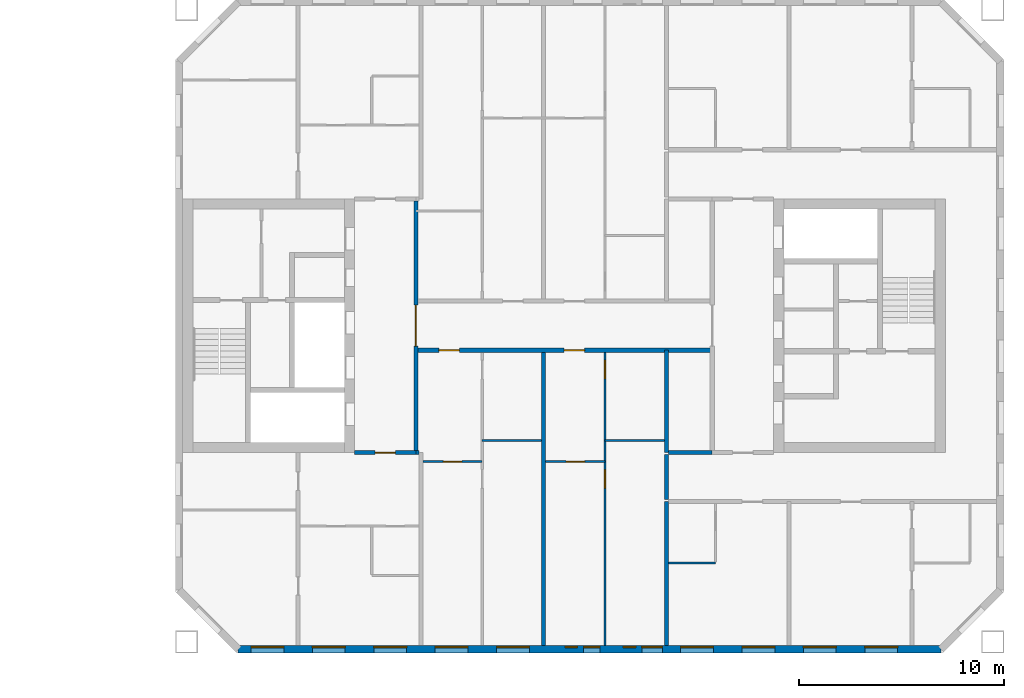
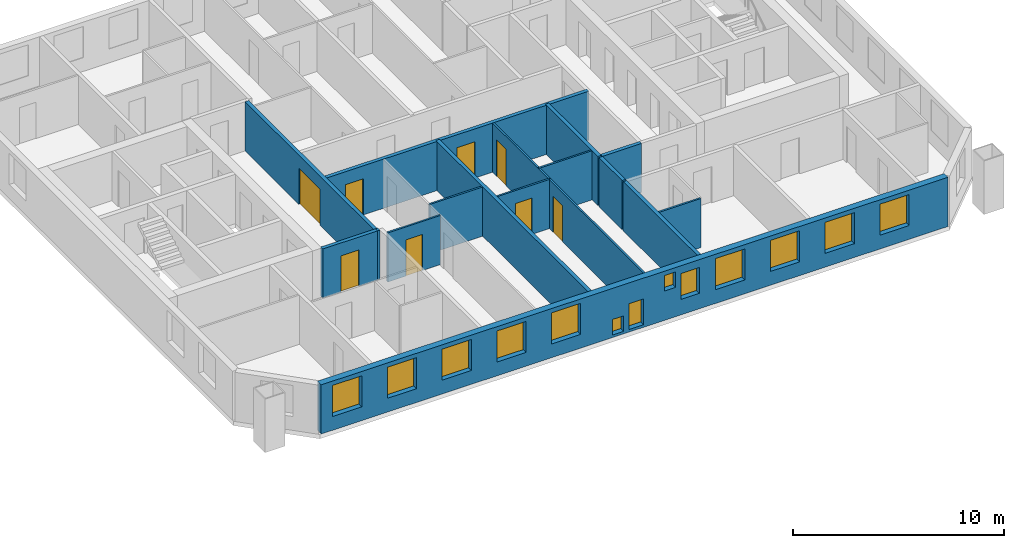
# One storey, part 9 of 15: 16 walls, 13 windows, 8 doors, 21 openings.
"""IFC4 building model written with IfcOpenShell, lengths in metres."""

from ifc_helpers import new_model, si_unit, direction, frame, frame_2d, origin, place, context, subcontext, project, spatial, rectangle, extrude, material, layer, layer_set, type_object, element, fill, save


model = new_model("IFC4")

# Units and contexts
model_context = context("Model", 3, precision=1e-05, world=origin(), true_north=direction((0.0, 1.0)))
body_context = subcontext(model_context, "Body", "Model", "MODEL_VIEW")
ifc_project = project(units=[si_unit("LENGTHUNIT", "METRE"), si_unit("AREAUNIT", "SQUARE_METRE"), si_unit("VOLUMEUNIT", "CUBIC_METRE"), si_unit("PLANEANGLEUNIT", "RADIAN"), si_unit("MASSUNIT", "GRAM", prefix="KILO")], contexts=[model_context])

# Site, building, storey
site_placement = place(None, origin())
site = spatial("IfcSite", under=ifc_project, at=site_placement, CompositionType="ELEMENT")
building_placement = place(site_placement, origin())
building = spatial("IfcBuilding", under=site, at=building_placement, Name="Tuart Gate Housing", CompositionType="ELEMENT")
storey_placement = place(building_placement, frame((0.0, 0.0, 164.0)))
storey = spatial("IfcBuildingStorey", under=building, at=storey_placement, Name="L46", CompositionType="ELEMENT", Elevation=164.0)

# Wall, openings, windows
ifc_material_1 = material(Name="Brick", Category="masonry")
ifc_layer_1 = layer(ifc_material_1, 0.360107421875)
ifc_layer_set_1 = layer_set([ifc_layer_1], Name="Brick pier and spandrel wall 360")
wall_type_1 = type_object("IfcWallType", Name="Brick pier and spandrel wall 360", PredefinedType="STANDARD", material=ifc_layer_set_1)
wall_1_placement = place(storey_placement, frame((134.07470703125, 54.179931640625, 0.0), z_axis=(0.0, 0.0, 1.0), x_axis=(1.0, 0.0, 0.0)))
wall_1 = element("IfcWall", 1, at=wall_1_placement, inside=storey, type_object=wall_type_1, Name="External wall B-S L46", PredefinedType="STANDARD", context=body_context, shape_type="SweptSolid", body=[
    extrude(rectangle(XDim=34.350830078125, YDim=0.360107421875, at=frame_2d((17.17529296875, 0.0))), origin(), (0.0, 0.0, 1.0), 2.85009765625),
])
opening_1_placement = place(wall_1_placement, frame((0.62548828125, 0.0, 0.800048828125)))
opening_1 = element("IfcOpeningElement", 2, at=opening_1_placement, cuts=wall_1, Name="Opening W1", PredefinedType="OPENING", context=body_context, shape_type="SweptSolid", body=[
    extrude(rectangle(XDim=1.60009765625, YDim=1.800048828125, at=frame_2d((0.800048828125, 0.89990234375))), frame((0.0, 0.18994140625, 0.0), z_axis=(0.0, -1.0, 0.0), x_axis=(1.0, 0.0, 0.0)), (0.0, 0.0, 1.0), 0.380126953125),
])
opening_2_placement = place(wall_1_placement, frame((3.62548828125, 0.0, 0.800048828125)))
opening_2 = element("IfcOpeningElement", 3, at=opening_2_placement, cuts=wall_1, Name="Opening W1", PredefinedType="OPENING", context=body_context, shape_type="SweptSolid", body=[
    extrude(rectangle(XDim=1.60009765625, YDim=1.800048828125, at=frame_2d((0.800048828125, 0.89990234375))), frame((0.0, 0.18994140625, 0.0), z_axis=(0.0, -1.0, 0.0), x_axis=(1.0, 0.0, 0.0)), (0.0, 0.0, 1.0), 0.380126953125),
])
opening_3_placement = place(wall_1_placement, frame((6.62548828125, 0.0, 0.800048828125)))
opening_3 = element("IfcOpeningElement", 4, at=opening_3_placement, cuts=wall_1, Name="Opening W1", PredefinedType="OPENING", context=body_context, shape_type="SweptSolid", body=[
    extrude(rectangle(XDim=1.60009765625, YDim=1.800048828125, at=frame_2d((0.800048828125, 0.89990234375))), frame((0.0, 0.18994140625, 0.0), z_axis=(0.0, -1.0, 0.0), x_axis=(1.0, 0.0, 0.0)), (0.0, 0.0, 1.0), 0.380126953125),
])
opening_4_placement = place(wall_1_placement, frame((9.62548828125, 0.0, 0.800048828125)))
opening_4 = element("IfcOpeningElement", 5, at=opening_4_placement, cuts=wall_1, Name="Opening W1", PredefinedType="OPENING", context=body_context, shape_type="SweptSolid", body=[
    extrude(rectangle(XDim=1.60009765625, YDim=1.800048828125, at=frame_2d((0.800048828125, 0.89990234375))), frame((0.0, 0.18994140625, 0.0), z_axis=(0.0, -1.0, 0.0), x_axis=(1.0, 0.0, 0.0)), (0.0, 0.0, 1.0), 0.380126953125),
])
opening_5_placement = place(wall_1_placement, frame((12.62548828125, 0.0, 0.800048828125)))
opening_5 = element("IfcOpeningElement", 6, at=opening_5_placement, cuts=wall_1, Name="Opening W1", PredefinedType="OPENING", context=body_context, shape_type="SweptSolid", body=[
    extrude(rectangle(XDim=1.60009765625, YDim=1.800048828125, at=frame_2d((0.800048828125, 0.89990234375))), frame((0.0, 0.18994140625, 0.0), z_axis=(0.0, -1.0, 0.0), x_axis=(1.0, 0.0, 0.0)), (0.0, 0.0, 1.0), 0.380126953125),
])
opening_6_placement = place(wall_1_placement, frame((15.975341796875, 0.0, 0.14990234375)))
opening_6 = element("IfcOpeningElement", 7, at=opening_6_placement, cuts=wall_1, Name="Opening W1W", PredefinedType="OPENING", context=body_context, shape_type="SweptSolid", body=[
    extrude(rectangle(XDim=0.60009765625, YDim=0.89990234375, at=frame_2d((0.300048828125, 0.449951171875))), frame((0.0, 0.18994140625, 0.0), z_axis=(0.0, -1.0, 0.0), x_axis=(1.0, 0.0, 0.0)), (0.0, 0.0, 1.0), 0.380126953125),
])
opening_7_placement = place(wall_1_placement, frame((18.825439453125, 0.0, 1.699951171875)))
opening_7 = element("IfcOpeningElement", 8, at=opening_7_placement, cuts=wall_1, Name="Opening W1W", PredefinedType="OPENING", context=body_context, shape_type="SweptSolid", body=[
    extrude(rectangle(XDim=0.60009765625, YDim=0.89990234375, at=frame_2d((0.300048828125, 0.449951171875))), frame((0.0, 0.18994140625, 0.0), z_axis=(0.0, -1.0, 0.0), x_axis=(1.0, 0.0, 0.0)), (0.0, 0.0, 1.0), 0.380126953125),
])
opening_8_placement = place(wall_1_placement, frame((21.62548828125, 0.0, 0.800048828125)))
opening_8 = element("IfcOpeningElement", 9, at=opening_8_placement, cuts=wall_1, Name="Opening W1", PredefinedType="OPENING", context=body_context, shape_type="SweptSolid", body=[
    extrude(rectangle(XDim=1.60009765625, YDim=1.800048828125, at=frame_2d((0.800048828125, 0.89990234375))), frame((0.0, 0.18994140625, 0.0), z_axis=(0.0, -1.0, 0.0), x_axis=(1.0, 0.0, 0.0)), (0.0, 0.0, 1.0), 0.380126953125),
])
opening_9_placement = place(wall_1_placement, frame((24.62548828125, 0.0, 0.800048828125)))
opening_9 = element("IfcOpeningElement", 10, at=opening_9_placement, cuts=wall_1, Name="Opening W1", PredefinedType="OPENING", context=body_context, shape_type="SweptSolid", body=[
    extrude(rectangle(XDim=1.60009765625, YDim=1.800048828125, at=frame_2d((0.800048828125, 0.89990234375))), frame((0.0, 0.18994140625, 0.0), z_axis=(0.0, -1.0, 0.0), x_axis=(1.0, 0.0, 0.0)), (0.0, 0.0, 1.0), 0.380126953125),
])
opening_10_placement = place(wall_1_placement, frame((27.62548828125, 0.0, 0.800048828125)))
opening_10 = element("IfcOpeningElement", 11, at=opening_10_placement, cuts=wall_1, Name="Opening W1", PredefinedType="OPENING", context=body_context, shape_type="SweptSolid", body=[
    extrude(rectangle(XDim=1.60009765625, YDim=1.800048828125, at=frame_2d((0.800048828125, 0.89990234375))), frame((0.0, 0.18994140625, 0.0), z_axis=(0.0, -1.0, 0.0), x_axis=(1.0, 0.0, 0.0)), (0.0, 0.0, 1.0), 0.380126953125),
])
opening_11_placement = place(wall_1_placement, frame((30.62548828125, 0.0, 0.800048828125)))
opening_11 = element("IfcOpeningElement", 12, at=opening_11_placement, cuts=wall_1, Name="Opening W1", PredefinedType="OPENING", context=body_context, shape_type="SweptSolid", body=[
    extrude(rectangle(XDim=1.60009765625, YDim=1.800048828125, at=frame_2d((0.800048828125, 0.89990234375))), frame((0.0, 0.18994140625, 0.0), z_axis=(0.0, -1.0, 0.0), x_axis=(1.0, 0.0, 0.0)), (0.0, 0.0, 1.0), 0.380126953125),
])
opening_12_placement = place(wall_1_placement, frame((16.87548828125, 0.0, 0.14990234375)))
opening_12 = element("IfcOpeningElement", 13, at=opening_12_placement, cuts=wall_1, Name="Opening W1J", PredefinedType="OPENING", context=body_context, shape_type="SweptSolid", body=[
    extrude(rectangle(XDim=0.800048828125, YDim=1.5, at=frame_2d((0.39990234375, 0.75))), frame((0.0, 0.18994140625, 0.0), z_axis=(0.0, -1.0, 0.0), x_axis=(1.0, 0.0, 0.0)), (0.0, 0.0, 1.0), 0.380126953125),
])
opening_13_placement = place(wall_1_placement, frame((19.725341796875, 0.0, 0.89990234375)))
opening_13 = element("IfcOpeningElement", 14, at=opening_13_placement, cuts=wall_1, Name="Opening W1I", PredefinedType="OPENING", context=body_context, shape_type="SweptSolid", body=[
    extrude(rectangle(XDim=1.0, YDim=1.5, at=frame_2d((0.5, 0.75))), frame((0.0, 0.18994140625, 0.0), z_axis=(0.0, -1.0, 0.0), x_axis=(1.0, 0.0, 0.0)), (0.0, 0.0, 1.0), 0.380126953125),
])
ifc_material_2 = material(Name="Aluminium frame with clear glass", Category="aluminium")
window_type_1 = type_object("IfcWindowType", Name="Punched window 1000 x 1500", PartitioningType="SINGLE_PANEL", PredefinedType="WINDOW", material=ifc_material_2)
window_1_placement = place(opening_13_placement, origin())
window_1 = element("IfcWindow", 15, at=window_1_placement, inside=storey, type_object=window_type_1, Name="Window W1I", OverallHeight=1.5, OverallWidth=1.0, PartitioningType="SINGLE_PANEL", PredefinedType="WINDOW", context=body_context, shape_type="SweptSolid", body=[
    extrude(rectangle(XDim=1.0, YDim=1.5, at=frame_2d((0.5, 0.75))), frame((0.0, 0.150146484375, 0.0), z_axis=(0.0, -1.0, 0.0), x_axis=(1.0, 0.0, 0.0)), (0.0, 0.0, 1.0), 0.06005859375),
])
fill(opening_13, window_1)
ifc_material_3 = material(Name="Aluminium frame with clear glass", Category="aluminium")
window_type_2 = type_object("IfcWindowType", Name="Punched window 1600 x 1800", PartitioningType="SINGLE_PANEL", PredefinedType="WINDOW", material=ifc_material_3)
window_2_placement = place(opening_1_placement, origin())
window_2 = element("IfcWindow", 16, at=window_2_placement, inside=storey, type_object=window_type_2, Name="Window W1", OverallHeight=1.800048828125, OverallWidth=1.60009765625, PartitioningType="SINGLE_PANEL", PredefinedType="WINDOW", context=body_context, shape_type="SweptSolid", body=[
    extrude(rectangle(XDim=1.60009765625, YDim=1.800048828125, at=frame_2d((0.800048828125, 0.89990234375))), frame((0.0, 0.150146484375, 0.0), z_axis=(0.0, -1.0, 0.0), x_axis=(1.0, 0.0, 0.0)), (0.0, 0.0, 1.0), 0.06005859375),
])
fill(opening_1, window_2)
window_3_placement = place(opening_2_placement, origin())
window_3 = element("IfcWindow", 17, at=window_3_placement, inside=storey, type_object=window_type_2, Name="Window W1", OverallHeight=1.800048828125, OverallWidth=1.60009765625, PartitioningType="SINGLE_PANEL", PredefinedType="WINDOW", context=body_context, shape_type="SweptSolid", body=[
    extrude(rectangle(XDim=1.60009765625, YDim=1.800048828125, at=frame_2d((0.800048828125, 0.89990234375))), frame((0.0, 0.150146484375, 0.0), z_axis=(0.0, -1.0, 0.0), x_axis=(1.0, 0.0, 0.0)), (0.0, 0.0, 1.0), 0.06005859375),
])
fill(opening_2, window_3)
window_4_placement = place(opening_3_placement, origin())
window_4 = element("IfcWindow", 18, at=window_4_placement, inside=storey, type_object=window_type_2, Name="Window W1", OverallHeight=1.800048828125, OverallWidth=1.60009765625, PartitioningType="SINGLE_PANEL", PredefinedType="WINDOW", context=body_context, shape_type="SweptSolid", body=[
    extrude(rectangle(XDim=1.60009765625, YDim=1.800048828125, at=frame_2d((0.800048828125, 0.89990234375))), frame((0.0, 0.150146484375, 0.0), z_axis=(0.0, -1.0, 0.0), x_axis=(1.0, 0.0, 0.0)), (0.0, 0.0, 1.0), 0.06005859375),
])
fill(opening_3, window_4)
window_5_placement = place(opening_4_placement, origin())
window_5 = element("IfcWindow", 19, at=window_5_placement, inside=storey, type_object=window_type_2, Name="Window W1", OverallHeight=1.800048828125, OverallWidth=1.60009765625, PartitioningType="SINGLE_PANEL", PredefinedType="WINDOW", context=body_context, shape_type="SweptSolid", body=[
    extrude(rectangle(XDim=1.60009765625, YDim=1.800048828125, at=frame_2d((0.800048828125, 0.89990234375))), frame((0.0, 0.150146484375, 0.0), z_axis=(0.0, -1.0, 0.0), x_axis=(1.0, 0.0, 0.0)), (0.0, 0.0, 1.0), 0.06005859375),
])
fill(opening_4, window_5)
window_6_placement = place(opening_5_placement, origin())
window_6 = element("IfcWindow", 20, at=window_6_placement, inside=storey, type_object=window_type_2, Name="Window W1", OverallHeight=1.800048828125, OverallWidth=1.60009765625, PartitioningType="SINGLE_PANEL", PredefinedType="WINDOW", context=body_context, shape_type="SweptSolid", body=[
    extrude(rectangle(XDim=1.60009765625, YDim=1.800048828125, at=frame_2d((0.800048828125, 0.89990234375))), frame((0.0, 0.150146484375, 0.0), z_axis=(0.0, -1.0, 0.0), x_axis=(1.0, 0.0, 0.0)), (0.0, 0.0, 1.0), 0.06005859375),
])
fill(opening_5, window_6)
window_7_placement = place(opening_8_placement, origin())
window_7 = element("IfcWindow", 21, at=window_7_placement, inside=storey, type_object=window_type_2, Name="Window W1", OverallHeight=1.800048828125, OverallWidth=1.60009765625, PartitioningType="SINGLE_PANEL", PredefinedType="WINDOW", context=body_context, shape_type="SweptSolid", body=[
    extrude(rectangle(XDim=1.60009765625, YDim=1.800048828125, at=frame_2d((0.800048828125, 0.89990234375))), frame((0.0, 0.150146484375, 0.0), z_axis=(0.0, -1.0, 0.0), x_axis=(1.0, 0.0, 0.0)), (0.0, 0.0, 1.0), 0.06005859375),
])
fill(opening_8, window_7)
window_8_placement = place(opening_9_placement, origin())
window_8 = element("IfcWindow", 22, at=window_8_placement, inside=storey, type_object=window_type_2, Name="Window W1", OverallHeight=1.800048828125, OverallWidth=1.60009765625, PartitioningType="SINGLE_PANEL", PredefinedType="WINDOW", context=body_context, shape_type="SweptSolid", body=[
    extrude(rectangle(XDim=1.60009765625, YDim=1.800048828125, at=frame_2d((0.800048828125, 0.89990234375))), frame((0.0, 0.150146484375, 0.0), z_axis=(0.0, -1.0, 0.0), x_axis=(1.0, 0.0, 0.0)), (0.0, 0.0, 1.0), 0.06005859375),
])
fill(opening_9, window_8)
window_9_placement = place(opening_10_placement, origin())
window_9 = element("IfcWindow", 23, at=window_9_placement, inside=storey, type_object=window_type_2, Name="Window W1", OverallHeight=1.800048828125, OverallWidth=1.60009765625, PartitioningType="SINGLE_PANEL", PredefinedType="WINDOW", context=body_context, shape_type="SweptSolid", body=[
    extrude(rectangle(XDim=1.60009765625, YDim=1.800048828125, at=frame_2d((0.800048828125, 0.89990234375))), frame((0.0, 0.150146484375, 0.0), z_axis=(0.0, -1.0, 0.0), x_axis=(1.0, 0.0, 0.0)), (0.0, 0.0, 1.0), 0.06005859375),
])
fill(opening_10, window_9)
window_10_placement = place(opening_11_placement, origin())
window_10 = element("IfcWindow", 24, at=window_10_placement, inside=storey, type_object=window_type_2, Name="Window W1", OverallHeight=1.800048828125, OverallWidth=1.60009765625, PartitioningType="SINGLE_PANEL", PredefinedType="WINDOW", context=body_context, shape_type="SweptSolid", body=[
    extrude(rectangle(XDim=1.60009765625, YDim=1.800048828125, at=frame_2d((0.800048828125, 0.89990234375))), frame((0.0, 0.150146484375, 0.0), z_axis=(0.0, -1.0, 0.0), x_axis=(1.0, 0.0, 0.0)), (0.0, 0.0, 1.0), 0.06005859375),
])
fill(opening_11, window_10)
ifc_material_4 = material(Name="Aluminium frame with clear glass", Category="aluminium")
window_type_3 = type_object("IfcWindowType", Name="Punched window 600 x 900", PartitioningType="SINGLE_PANEL", PredefinedType="WINDOW", material=ifc_material_4)
window_11_placement = place(opening_6_placement, origin())
window_11 = element("IfcWindow", 25, at=window_11_placement, inside=storey, type_object=window_type_3, Name="Window W1W", OverallHeight=0.89990234375, OverallWidth=0.60009765625, PartitioningType="SINGLE_PANEL", PredefinedType="WINDOW", context=body_context, shape_type="SweptSolid", body=[
    extrude(rectangle(XDim=0.60009765625, YDim=0.89990234375, at=frame_2d((0.300048828125, 0.449951171875))), frame((0.0, 0.150146484375, 0.0), z_axis=(0.0, -1.0, 0.0), x_axis=(1.0, 0.0, 0.0)), (0.0, 0.0, 1.0), 0.06005859375),
])
fill(opening_6, window_11)
window_12_placement = place(opening_7_placement, origin())
window_12 = element("IfcWindow", 26, at=window_12_placement, inside=storey, type_object=window_type_3, Name="Window W1W", OverallHeight=0.89990234375, OverallWidth=0.60009765625, PartitioningType="SINGLE_PANEL", PredefinedType="WINDOW", context=body_context, shape_type="SweptSolid", body=[
    extrude(rectangle(XDim=0.60009765625, YDim=0.89990234375, at=frame_2d((0.300048828125, 0.449951171875))), frame((0.0, 0.150146484375, 0.0), z_axis=(0.0, -1.0, 0.0), x_axis=(1.0, 0.0, 0.0)), (0.0, 0.0, 1.0), 0.06005859375),
])
fill(opening_7, window_12)
ifc_material_5 = material(Name="Aluminium frame with clear glass", Category="aluminium")
window_type_4 = type_object("IfcWindowType", Name="Punched window 800 x 1500", PartitioningType="SINGLE_PANEL", PredefinedType="WINDOW", material=ifc_material_5)
window_13_placement = place(opening_12_placement, origin())
window_13 = element("IfcWindow", 27, at=window_13_placement, inside=storey, type_object=window_type_4, Name="Window W1J", OverallHeight=1.5, OverallWidth=0.800048828125, PartitioningType="SINGLE_PANEL", PredefinedType="WINDOW", context=body_context, shape_type="SweptSolid", body=[
    extrude(rectangle(XDim=0.800048828125, YDim=1.5, at=frame_2d((0.39990234375, 0.75))), frame((0.0, 0.150146484375, 0.0), z_axis=(0.0, -1.0, 0.0), x_axis=(1.0, 0.0, 0.0)), (0.0, 0.0, 1.0), 0.06005859375),
])
fill(opening_12, window_13)

# Wall
ifc_material_6 = material(Name="Concrete masonry 15 MPa", Category="masonry")
ifc_layer_2 = layer(ifc_material_6, 0.199951171875)
ifc_layer_set_2 = layer_set([ifc_layer_2], Name="Corridor wall masonry 200")
wall_type_2 = type_object("IfcWallType", Name="Corridor wall masonry 200", PredefinedType="PARTITIONING", material=ifc_layer_set_2)
wall_2_placement = place(storey_placement, frame((155.10009765625, 63.800048828125, 0.0), z_axis=(0.0, 0.0, 1.0), x_axis=(1.0, 0.0, 0.0)))
element("IfcWall", 28, at=wall_2_placement, inside=storey, type_object=wall_type_2, Name="Corridor wall masonry 200", PredefinedType="PARTITIONING", context=body_context, shape_type="SweptSolid", body=[
    extrude(rectangle(XDim=2.139892578125, YDim=0.199951171875, at=frame_2d((1.06982421875, 0.0))), origin(), (0.0, 0.0, 1.0), 2.85009765625),
])

# Wall, openings, doors
wall_3_placement = place(storey_placement, frame((142.760009765625, 68.800048828125, 0.0), z_axis=(0.0, 0.0, 1.0), x_axis=(1.0, 0.0, 0.0)))
wall_3 = element("IfcWall", 29, at=wall_3_placement, inside=storey, type_object=wall_type_2, Name="Corridor wall masonry 200", PredefinedType="PARTITIONING", context=body_context, shape_type="SweptSolid", body=[
    extrude(rectangle(XDim=14.47998046875, YDim=0.199951171875, at=frame_2d((7.239990234375, 0.0))), origin(), (0.0, 0.0, 1.0), 2.85009765625),
])
opening_14_placement = place(wall_3_placement, frame((1.1201171875, 0.0, 0.0)))
opening_14 = element("IfcOpeningElement", 30, at=opening_14_placement, cuts=wall_3, Name="Opening D1712", PredefinedType="OPENING", context=body_context, shape_type="SweptSolid", body=[
    extrude(rectangle(XDim=1.0, YDim=2.10009765625, at=frame_2d((0.5, 1.050048828125))), frame((0.0, 0.10986328125, 0.0), z_axis=(0.0, -1.0, 0.0), x_axis=(1.0, 0.0, 0.0)), (0.0, 0.0, 1.0), 0.219970703125),
])
opening_15_placement = place(wall_3_placement, frame((7.239990234375, 0.0, 0.0)))
opening_15 = element("IfcOpeningElement", 31, at=opening_15_placement, cuts=wall_3, Name="Opening D1713", PredefinedType="OPENING", context=body_context, shape_type="SweptSolid", body=[
    extrude(rectangle(XDim=1.0, YDim=2.10009765625, at=frame_2d((0.5, 1.050048828125))), frame((0.0, 0.10986328125, 0.0), z_axis=(0.0, -1.0, 0.0), x_axis=(1.0, 0.0, 0.0)), (0.0, 0.0, 1.0), 0.219970703125),
])
ifc_material_7 = material(Name="Timber door leaf in steel frame", Category="steel")
door_type_1 = type_object("IfcDoorType", Name="Flat entrance door 1000 RH", OperationType="SINGLE_SWING_RIGHT", PredefinedType="DOOR", material=ifc_material_7)
door_1_placement = place(opening_14_placement, frame((1.0, 0.0, 0.0), z_axis=(0.0, 0.0, 1.0), x_axis=(-1.0, 0.0, 0.0)))
door_1 = element("IfcDoor", 32, at=door_1_placement, inside=storey, type_object=door_type_1, Name="Flat entrance door", OperationType="SINGLE_SWING_RIGHT", OverallHeight=2.10009765625, OverallWidth=1.0, PredefinedType="DOOR", context=body_context, shape_type="SweptSolid", body=[
    extrude(rectangle(XDim=1.0, YDim=2.10009765625, at=frame_2d((0.5, 1.050048828125))), frame((0.0, 0.025146484375, 0.0), z_axis=(0.0, -1.0, 0.0), x_axis=(1.0, 0.0, 0.0)), (0.0, 0.0, 1.0), 0.050048828125),
])
fill(opening_14, door_1)
door_2_placement = place(opening_15_placement, frame((1.0, 0.0, 0.0), z_axis=(0.0, 0.0, 1.0), x_axis=(-1.0, 0.0, 0.0)))
door_2 = element("IfcDoor", 33, at=door_2_placement, inside=storey, type_object=door_type_1, Name="Flat entrance door", OperationType="SINGLE_SWING_RIGHT", OverallHeight=2.10009765625, OverallWidth=1.0, PredefinedType="DOOR", context=body_context, shape_type="SweptSolid", body=[
    extrude(rectangle(XDim=1.0, YDim=2.10009765625, at=frame_2d((0.5, 1.050048828125))), frame((0.0, 0.025146484375, 0.0), z_axis=(0.0, -1.0, 0.0), x_axis=(1.0, 0.0, 0.0)), (0.0, 0.0, 1.0), 0.050048828125),
])
fill(opening_15, door_2)

# Wall
wall_4_placement = place(storey_placement, frame((155.0, 61.5, 0.0), z_axis=(0.0, 0.0, 1.0), x_axis=(0.0, 1.0, 0.0)))
element("IfcWall", 34, at=wall_4_placement, inside=storey, type_object=wall_type_2, Name="Corridor wall masonry 200", PredefinedType="PARTITIONING", context=body_context, shape_type="SweptSolid", body=[
    extrude(rectangle(XDim=2.199951171875, YDim=0.199951171875, at=frame_2d((1.10009765625, 0.0))), origin(), (0.0, 0.0, 1.0), 2.85009765625),
])

# Wall, opening, door
ifc_material_8 = material(Name="Concrete masonry 15 MPa", Category="masonry")
ifc_layer_3 = layer(ifc_material_8, 0.199951171875)
ifc_layer_set_3 = layer_set([ifc_layer_3], Name="Enclosure wall masonry 200")
wall_type_3 = type_object("IfcWallType", Name="Enclosure wall masonry 200", PredefinedType="PARTITIONING", material=ifc_layer_set_3)
wall_5_placement = place(storey_placement, frame((139.760009765625, 63.800048828125, 0.0), z_axis=(0.0, 0.0, 1.0), x_axis=(1.0, 0.0, 0.0)))
wall_5 = element("IfcWall", 35, at=wall_5_placement, inside=storey, type_object=wall_type_3, Name="Enclosure wall masonry 200", PredefinedType="PARTITIONING", context=body_context, shape_type="SweptSolid", body=[
    extrude(rectangle(XDim=3.0, YDim=0.199951171875, at=frame_2d((1.5, 0.0))), origin(), (0.0, 0.0, 1.0), 2.85009765625),
])
opening_16_placement = place(wall_5_placement, frame((1.0, 0.0, 0.0)))
opening_16 = element("IfcOpeningElement", 36, at=opening_16_placement, cuts=wall_5, Name="Opening D1716", PredefinedType="OPENING", context=body_context, shape_type="SweptSolid", body=[
    extrude(rectangle(XDim=1.0, YDim=2.10009765625, at=frame_2d((0.5, 1.050048828125))), frame((0.0, 0.10986328125, 0.0), z_axis=(0.0, -1.0, 0.0), x_axis=(1.0, 0.0, 0.0)), (0.0, 0.0, 1.0), 0.219970703125),
])
ifc_material_9 = material(Name="Timber door leaf in steel frame", Category="steel")
door_type_2 = type_object("IfcDoorType", Name="Flat entrance door 1000", OperationType="SINGLE_SWING_LEFT", PredefinedType="DOOR", material=ifc_material_9)
door_3_placement = place(opening_16_placement, frame((1.0, 0.0, 0.0), z_axis=(0.0, 0.0, 1.0), x_axis=(-1.0, 0.0, 0.0)))
door_3 = element("IfcDoor", 37, at=door_3_placement, inside=storey, type_object=door_type_2, Name="Flat entrance door", OperationType="SINGLE_SWING_LEFT", OverallHeight=2.10009765625, OverallWidth=1.0, PredefinedType="DOOR", context=body_context, shape_type="SweptSolid", body=[
    extrude(rectangle(XDim=1.0, YDim=2.10009765625, at=frame_2d((0.5, 1.050048828125))), frame((0.0, 0.025146484375, 0.0), z_axis=(0.0, -1.0, 0.0), x_axis=(1.0, 0.0, 0.0)), (0.0, 0.0, 1.0), 0.050048828125),
])
fill(opening_16, door_3)

ifc_material_10 = material(Name="Plasterboard partition")
ifc_layer_4 = layer(ifc_material_10, 0.199951171875)
ifc_layer_set_4 = layer_set([ifc_layer_4], Name="Lobby wall 200")
wall_type_4 = type_object("IfcWallType", Name="Lobby wall 200", PredefinedType="PARTITIONING", material=ifc_layer_set_4)
wall_6_placement = place(storey_placement, frame((142.760009765625, 63.89990234375, 0.0), z_axis=(0.0, 0.0, 1.0), x_axis=(0.0, 1.0, 0.0)))
wall_6 = element("IfcWall", 38, at=wall_6_placement, inside=storey, type_object=wall_type_4, Name="Lift lobby wall BG", PredefinedType="PARTITIONING", context=body_context, shape_type="SweptSolid", body=[
    extrude(rectangle(XDim=12.2001953125, YDim=0.199951171875, at=frame_2d((6.10009765625, 0.0))), origin(), (0.0, 0.0, 1.0), 2.85009765625),
])
opening_17_placement = place(wall_6_placement, frame((5.10009765625, 0.0, 0.0)))
opening_17 = element("IfcOpeningElement", 39, at=opening_17_placement, cuts=wall_6, Name="Opening D1706", PredefinedType="OPENING", context=body_context, shape_type="SweptSolid", body=[
    extrude(rectangle(XDim=2.0, YDim=2.10009765625, at=frame_2d((1.0, 1.050048828125))), frame((0.0, 0.10986328125, 0.0), z_axis=(0.0, -1.0, 0.0), x_axis=(1.0, 0.0, 0.0)), (0.0, 0.0, 1.0), 0.219970703125),
])
ifc_material_11 = material(Name="Steel fire door", Category="steel")
door_type_3 = type_object("IfcDoorType", Name="Smoke door 2000 x 2100", OperationType="DOUBLE_DOOR_SINGLE_SWING", PredefinedType="DOOR", material=ifc_material_11)
door_4_placement = place(opening_17_placement, origin())
door_4 = element("IfcDoor", 40, at=door_4_placement, inside=storey, type_object=door_type_3, Name="Lift lobby smoke door BG", OperationType="DOUBLE_DOOR_SINGLE_SWING", OverallHeight=2.10009765625, OverallWidth=2.0, PredefinedType="DOOR", context=body_context, shape_type="SweptSolid", body=[
    extrude(rectangle(XDim=2.0, YDim=2.10009765625, at=frame_2d((1.0, 1.050048828125))), frame((0.0, 0.02490234375, 0.0), z_axis=(0.0, -1.0, 0.0), x_axis=(1.0, 0.0, 0.0)), (0.0, 0.0, 1.0), 0.050048828125),
])
fill(opening_17, door_4)

# Wall
ifc_material_12 = material(Name="Gypsum board on steel studs", Category="steel")
ifc_layer_5 = layer(ifc_material_12, 0.10009765625)
ifc_layer_set_5 = layer_set([ifc_layer_5], Name="Partition 100")
wall_type_5 = type_object("IfcWallType", Name="Partition 100", PredefinedType="PARTITIONING", material=ifc_layer_set_5)
wall_7_placement = place(storey_placement, frame((155.10009765625, 58.39990234375, 0.0), z_axis=(0.0, 0.0, 1.0), x_axis=(1.0, 0.0, 0.0)))
element("IfcWall", 41, at=wall_7_placement, inside=storey, type_object=wall_type_5, Name="Partition 100", PredefinedType="PARTITIONING", context=body_context, shape_type="SweptSolid", body=[
    extrude(rectangle(XDim=2.2998046875, YDim=0.10009765625, at=frame_2d((1.14990234375, 0.0))), origin(), (0.0, 0.0, 1.0), 2.85009765625),
])

# Wall, opening, door
wall_8_placement = place(storey_placement, frame((143.10009765625, 63.360107421875, 0.0), z_axis=(0.0, 0.0, 1.0), x_axis=(1.0, 0.0, 0.0)))
wall_8 = element("IfcWall", 42, at=wall_8_placement, inside=storey, type_object=wall_type_5, Name="Partition 100", PredefinedType="PARTITIONING", context=body_context, shape_type="SweptSolid", body=[
    extrude(rectangle(XDim=2.89990234375, YDim=0.10009765625, at=frame_2d((1.449951171875, 0.0))), origin(), (0.0, 0.0, 1.0), 2.85009765625),
])
opening_18_placement = place(wall_8_placement, frame((1.0, 0.0, 0.0)))
opening_18 = element("IfcOpeningElement", 43, at=opening_18_placement, cuts=wall_8, Name="Opening D1718", PredefinedType="OPENING", context=body_context, shape_type="SweptSolid", body=[
    extrude(rectangle(XDim=0.89990234375, YDim=2.10009765625, at=frame_2d((0.449951171875, 1.050048828125))), frame((0.0, 0.06005859375, 0.0), z_axis=(0.0, -1.0, 0.0), x_axis=(1.0, 0.0, 0.0)), (0.0, 0.0, 1.0), 0.1201171875),
])
ifc_material_13 = material(Name="Timber door leaf in steel frame", Category="steel")
door_type_4 = type_object("IfcDoorType", Name="Internal door 900 RH", OperationType="SINGLE_SWING_RIGHT", PredefinedType="DOOR", material=ifc_material_13)
door_5_placement = place(opening_18_placement, origin())
door_5 = element("IfcDoor", 44, at=door_5_placement, inside=storey, type_object=door_type_4, Name="Internal door", OperationType="SINGLE_SWING_RIGHT", OverallHeight=2.10009765625, OverallWidth=0.89990234375, PredefinedType="DOOR", context=body_context, shape_type="SweptSolid", body=[
    extrude(rectangle(XDim=0.89990234375, YDim=2.10009765625, at=frame_2d((0.449951171875, 1.050048828125))), frame((0.0, 0.02490234375, 0.0), z_axis=(0.0, -1.0, 0.0), x_axis=(1.0, 0.0, 0.0)), (0.0, 0.0, 1.0), 0.050048828125),
])
fill(opening_18, door_5)

wall_9_placement = place(storey_placement, frame((149.10009765625, 63.360107421875, 0.0), z_axis=(0.0, 0.0, 1.0), x_axis=(1.0, 0.0, 0.0)))
wall_9 = element("IfcWall", 45, at=wall_9_placement, inside=storey, type_object=wall_type_5, Name="Partition 100", PredefinedType="PARTITIONING", context=body_context, shape_type="SweptSolid", body=[
    extrude(rectangle(XDim=2.89990234375, YDim=0.10009765625, at=frame_2d((1.449951171875, 0.0))), origin(), (0.0, 0.0, 1.0), 2.85009765625),
])
opening_19_placement = place(wall_9_placement, frame((1.0, 0.0, 0.0)))
opening_19 = element("IfcOpeningElement", 46, at=opening_19_placement, cuts=wall_9, Name="Opening D1719", PredefinedType="OPENING", context=body_context, shape_type="SweptSolid", body=[
    extrude(rectangle(XDim=0.89990234375, YDim=2.10009765625, at=frame_2d((0.449951171875, 1.050048828125))), frame((0.0, 0.06005859375, 0.0), z_axis=(0.0, -1.0, 0.0), x_axis=(1.0, 0.0, 0.0)), (0.0, 0.0, 1.0), 0.1201171875),
])
door_6_placement = place(opening_19_placement, origin())
door_6 = element("IfcDoor", 47, at=door_6_placement, inside=storey, type_object=door_type_4, Name="Internal door", OperationType="SINGLE_SWING_RIGHT", OverallHeight=2.10009765625, OverallWidth=0.89990234375, PredefinedType="DOOR", context=body_context, shape_type="SweptSolid", body=[
    extrude(rectangle(XDim=0.89990234375, YDim=2.10009765625, at=frame_2d((0.449951171875, 1.050048828125))), frame((0.0, 0.02490234375, 0.0), z_axis=(0.0, -1.0, 0.0), x_axis=(1.0, 0.0, 0.0)), (0.0, 0.0, 1.0), 0.050048828125),
])
fill(opening_19, door_6)

# Walls
for number, where, z_axis, x_axis, name in (
    (48, (146.0, 64.39990234375, 0.0), (0.0, 0.0, 1.0), (1.0, 0.0, 0.0), "Partition 100"),
    (49, (152.0, 64.39990234375, 0.0), (0.0, 0.0, 1.0), (1.0, 0.0, 0.0), "Partition 100"),
):
    element("IfcWall", number, at=place(storey_placement, frame(where, z_axis=z_axis, x_axis=x_axis)), inside=storey, type_object=wall_type_5, Name=name, PredefinedType="PARTITIONING", context=body_context, shape_type="SweptSolid", body=[
        extrude(rectangle(XDim=2.89990234375, YDim=0.10009765625, at=frame_2d((1.449951171875, 0.0))), origin(), (0.0, 0.0, 1.0), 2.85009765625),
    ])

# Wall, openings, doors
wall_10_placement = place(storey_placement, frame((152.0, 54.360107421875, 0.0), z_axis=(0.0, 0.0, 1.0), x_axis=(0.0, 1.0, 0.0)))
wall_10 = element("IfcWall", 50, at=wall_10_placement, inside=storey, type_object=wall_type_5, Name="Partition 100", PredefinedType="PARTITIONING", context=body_context, shape_type="SweptSolid", body=[
    extrude(rectangle(XDim=14.33984375, YDim=0.10009765625, at=frame_2d((7.169921875, 0.0))), origin(), (0.0, 0.0, 1.0), 2.85009765625),
])
opening_20_placement = place(wall_10_placement, frame((7.699951171875, 0.0, 0.0)))
opening_20 = element("IfcOpeningElement", 51, at=opening_20_placement, cuts=wall_10, Name="Opening D1723", PredefinedType="OPENING", context=body_context, shape_type="SweptSolid", body=[
    extrude(rectangle(XDim=0.89990234375, YDim=2.10009765625, at=frame_2d((0.449951171875, 1.050048828125))), frame((0.0, 0.06005859375, 0.0), z_axis=(0.0, -1.0, 0.0), x_axis=(1.0, 0.0, 0.0)), (0.0, 0.0, 1.0), 0.1201171875),
])
opening_21_placement = place(wall_10_placement, frame((13.0400390625, 0.0, 0.0)))
opening_21 = element("IfcOpeningElement", 52, at=opening_21_placement, cuts=wall_10, Name="Opening D1722", PredefinedType="OPENING", context=body_context, shape_type="SweptSolid", body=[
    extrude(rectangle(XDim=0.89990234375, YDim=2.10009765625, at=frame_2d((0.449951171875, 1.050048828125))), frame((0.0, 0.06005859375, 0.0), z_axis=(0.0, -1.0, 0.0), x_axis=(1.0, 0.0, 0.0)), (0.0, 0.0, 1.0), 0.1201171875),
])
ifc_material_14 = material(Name="Timber door leaf in steel frame", Category="steel")
door_type_5 = type_object("IfcDoorType", Name="Bathroom door 900", OperationType="SINGLE_SWING_LEFT", PredefinedType="DOOR", material=ifc_material_14)
door_7_placement = place(opening_21_placement, frame((0.89990234375, 0.0, 0.0), z_axis=(0.0, 0.0, 1.0), x_axis=(-1.0, 0.0, 0.0)))
door_7 = element("IfcDoor", 53, at=door_7_placement, inside=storey, type_object=door_type_5, Name="Bathroom door", OperationType="SINGLE_SWING_LEFT", OverallHeight=2.10009765625, OverallWidth=0.89990234375, PredefinedType="DOOR", context=body_context, shape_type="SweptSolid", body=[
    extrude(rectangle(XDim=0.89990234375, YDim=2.10009765625, at=frame_2d((0.449951171875, 1.050048828125))), frame((0.0, 0.025146484375, 0.0), z_axis=(0.0, -1.0, 0.0), x_axis=(1.0, 0.0, 0.0)), (0.0, 0.0, 1.0), 0.050048828125),
])
fill(opening_21, door_7)
ifc_material_15 = material(Name="Timber door leaf in steel frame", Category="steel")
door_type_6 = type_object("IfcDoorType", Name="Internal door 900", OperationType="SINGLE_SWING_LEFT", PredefinedType="DOOR", material=ifc_material_15)
door_8_placement = place(opening_20_placement, frame((0.89990234375, 0.0, 0.0), z_axis=(0.0, 0.0, 1.0), x_axis=(-1.0, 0.0, 0.0)))
door_8 = element("IfcDoor", 54, at=door_8_placement, inside=storey, type_object=door_type_6, Name="Internal door", OperationType="SINGLE_SWING_LEFT", OverallHeight=2.10009765625, OverallWidth=0.89990234375, PredefinedType="DOOR", context=body_context, shape_type="SweptSolid", body=[
    extrude(rectangle(XDim=0.89990234375, YDim=2.10009765625, at=frame_2d((0.449951171875, 1.050048828125))), frame((0.0, 0.025146484375, 0.0), z_axis=(0.0, -1.0, 0.0), x_axis=(1.0, 0.0, 0.0)), (0.0, 0.0, 1.0), 0.050048828125),
])
fill(opening_20, door_8)

# Walls
ifc_material_16 = material(Name="Concrete C40", Category="concrete")
ifc_layer_6 = layer(ifc_material_16, 0.199951171875)
ifc_layer_set_6 = layer_set([ifc_layer_6], Name="Party wall concrete C40 200")
wall_type_6 = type_object("IfcWallType", Name="Party wall concrete C40 200", PredefinedType="SOLIDWALL", material=ifc_layer_set_6)
wall_11_placement = place(storey_placement, frame((149.0, 54.360107421875, 0.0), z_axis=(0.0, 0.0, 1.0), x_axis=(0.0, 1.0, 0.0)))
element("IfcWall", 55, at=wall_11_placement, inside=storey, type_object=wall_type_6, Name="Party wall concrete C40 200", PredefinedType="SOLIDWALL", context=body_context, shape_type="SweptSolid", body=[
    extrude(rectangle(XDim=14.43994140625, YDim=0.199951171875, at=frame_2d((7.219970703125, 0.0))), origin(), (0.0, 0.0, 1.0), 2.85009765625),
])
wall_12_placement = place(storey_placement, frame((155.0, 54.360107421875, 0.0), z_axis=(0.0, 0.0, 1.0), x_axis=(0.0, 1.0, 0.0)))
element("IfcWall", 56, at=wall_12_placement, inside=storey, type_object=wall_type_6, Name="Party wall concrete C40 200", PredefinedType="SOLIDWALL", context=body_context, shape_type="SweptSolid", body=[
    extrude(rectangle(XDim=7.039794921875, YDim=0.199951171875, at=frame_2d((3.52001953125, 0.0))), origin(), (0.0, 0.0, 1.0), 2.85009765625),
])
wall_13_placement = place(storey_placement, frame((155.0, 63.800048828125, 0.0), z_axis=(0.0, 0.0, 1.0), x_axis=(0.0, 1.0, 0.0)))
element("IfcWall", 57, at=wall_13_placement, inside=storey, type_object=wall_type_6, Name="Party wall concrete C40 200", PredefinedType="SOLIDWALL", context=body_context, shape_type="SweptSolid", body=[
    extrude(rectangle(XDim=5.0, YDim=0.199951171875, at=frame_2d((2.5, 0.0))), origin(), (0.0, 0.0, 1.0), 2.85009765625),
])
ifc_material_17 = material(Name="Concrete masonry 15 MPa", Category="masonry")
ifc_layer_7 = layer(ifc_material_17, 0.199951171875)
ifc_layer_set_7 = layer_set([ifc_layer_7], Name="Party wall masonry 200")
wall_type_7 = type_object("IfcWallType", Name="Party wall masonry 200", PredefinedType="PARTITIONING", material=ifc_layer_set_7)
wall_14_placement = place(storey_placement, frame((142.760009765625, 63.800048828125, 0.0), z_axis=(0.0, 0.0, 1.0), x_axis=(1.0, 0.0, 0.0)))
element("IfcWall", 58, at=wall_14_placement, inside=storey, type_object=wall_type_7, Name="Party wall masonry 200", PredefinedType="PARTITIONING", context=body_context, shape_type="SweptSolid", body=[
    extrude(rectangle(XDim=0.139892578125, YDim=0.199951171875, at=frame_2d((0.06982421875, 0.0))), origin(), (0.0, 0.0, 1.0), 2.85009765625),
])

save(model, "model.ifc")
